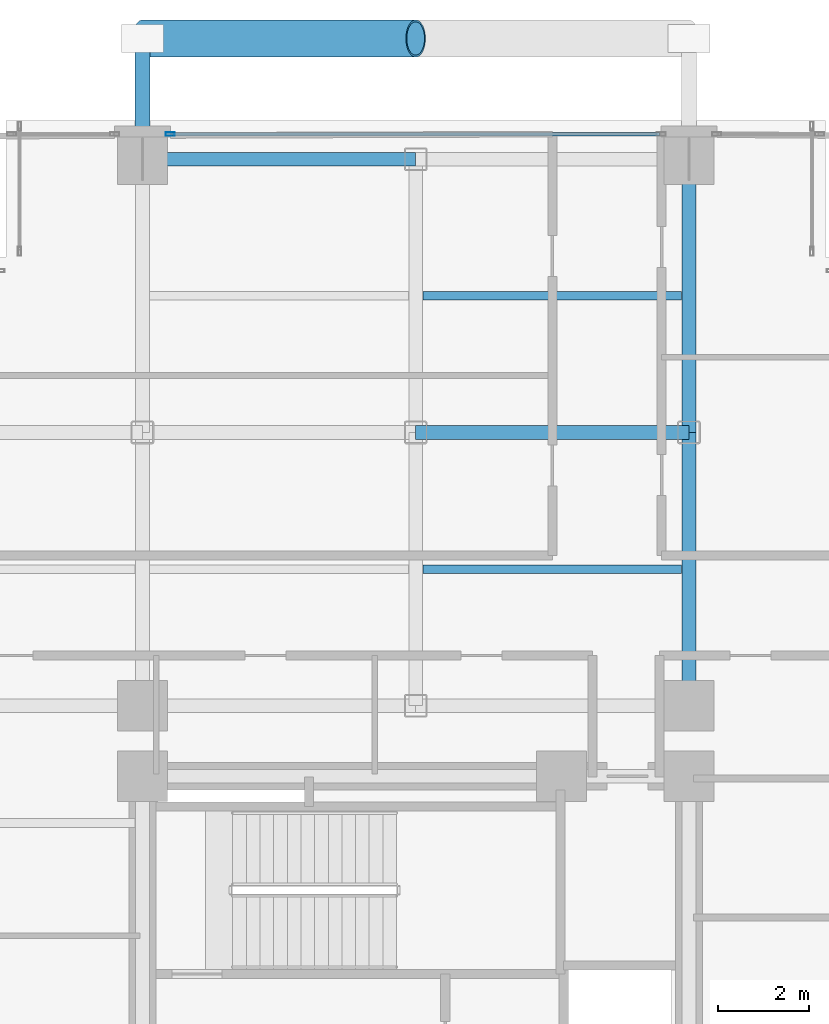
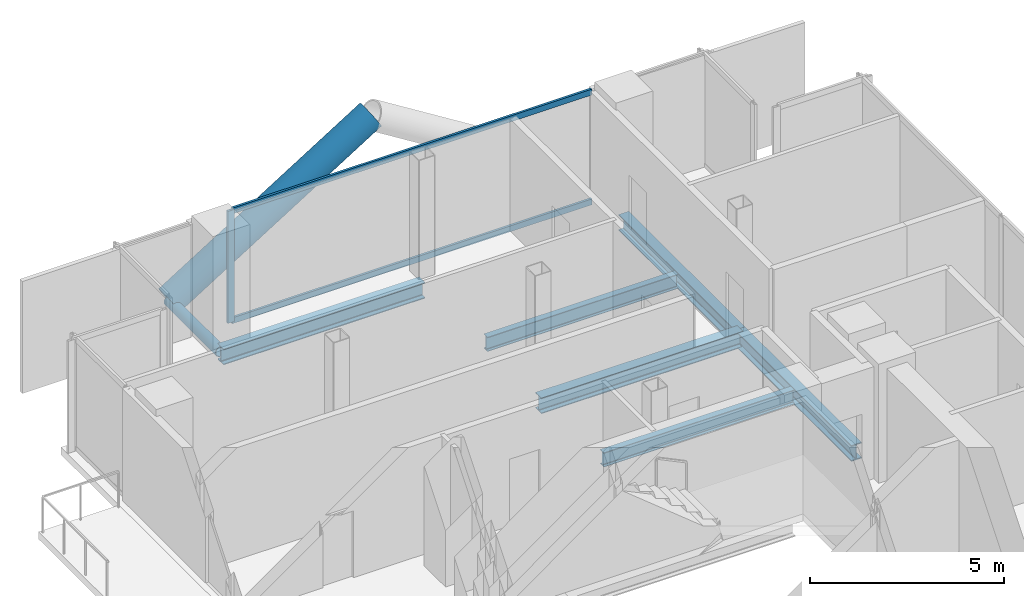
# One storey, part 16 of 28: 6 beams, 5 members, 1 element without a shape of its own.
"""IFC4 building model written with IfcOpenShell, lengths in metres."""

from ifc_helpers import new_model, si_unit, direction, frame, origin, origin_2d, place, context, subcontext, project, spatial, hollow_rectangle, hollow_circle, i_section, extrude, material, layer, layer_set, material_profile, profile_set, type_object, element, aggregate, save


model = new_model("IFC4")

# Units and contexts
model_context = context("Model", 3, precision=1e-05, world=origin(), true_north=direction((0.0, 1.0)))
body_context = subcontext(model_context, "Body", "Model", "MODEL_VIEW")
ifc_project = project(units=[si_unit("LENGTHUNIT", "METRE"), si_unit("AREAUNIT", "SQUARE_METRE"), si_unit("VOLUMEUNIT", "CUBIC_METRE"), si_unit("PLANEANGLEUNIT", "RADIAN"), si_unit("MASSUNIT", "GRAM", prefix="KILO"), si_unit("THERMODYNAMICTEMPERATUREUNIT", "KELVIN"), si_unit("POWERUNIT", "WATT")], contexts=[model_context])

# Site, building, storey
site_placement = place(None, origin())
site = spatial("IfcSite", under=ifc_project, at=site_placement, CompositionType="ELEMENT")
building_placement = place(site_placement, origin())
building = spatial("IfcBuilding", under=site, at=building_placement, Name="Svarakhadi Broadcast Tower", CompositionType="ELEMENT")
storey_placement = place(building_placement, frame((0.0, 0.0, 149.39990234375)))
storey = spatial("IfcBuildingStorey", under=building, at=storey_placement, Name="L36", CompositionType="ELEMENT", Elevation=149.39990234375)

# Beams
ifc_material_1 = material(Name="Steel S355J2 (IS 2062 E350C)", Category="steel")
ifc_material_profile_1 = material_profile(ifc_material_1, i_section(OverallWidth=0.18994140625, OverallDepth=0.449951171875, WebThickness=0.009521484375, FlangeThickness=0.0146484375, FilletRadius=0.02099609375, at=origin_2d()), Name="NPB 450x190x78")
ifc_profile_set_1 = profile_set([ifc_material_profile_1], Name="Steel S355J2 (IS 2062 E350C)")
beam_type_1 = type_object("IfcBeamType", Name="Beam_NPB450", PredefinedType="BEAM", material=ifc_profile_set_1)
for number, where, z_axis, x_axis, name in (
    (1, (12.159912109375, 32.14990234375, -0.449951171875), (1.0, 0.0, 0.0), (0.0, 1.0, 0.0), "L36 Secondary Composite Beam SB014"),
    (2, (12.159912109375, 38.14990234375, -0.449951171875), (1.0, 0.0, 0.0), (0.0, 1.0, 0.0), "L36 Secondary Composite Beam SB015"),
):
    element("IfcBeam", number, at=place(storey_placement, frame(where, z_axis=z_axis, x_axis=x_axis)), inside=storey, type_object=beam_type_1, Name=name, PredefinedType="BEAM", context=body_context, shape_type="SweptSolid", body=[
        extrude(i_section(OverallWidth=0.18994140625, OverallDepth=0.449951171875, WebThickness=0.009521484375, FlangeThickness=0.0146484375, FilletRadius=0.02099609375, at=origin_2d()), origin(), (0.0, 0.0, 1.0), 5.68017578125),
    ])

# Curtain wall, members
ifc_material_2 = material(Name="Anodised Bronze Aluminium AA 6063-T6", Category="aluminium")
ifc_layer = layer(ifc_material_2, 0.199951171875)
ifc_layer_set = layer_set([ifc_layer], Name="Anodised Bronze Aluminium AA 6063-T6")
curtain_wall_type = type_object("IfcCurtainWallType", Name="CW_Sys_03", PredefinedType="NOTDEFINED", material=ifc_layer_set)
curtain_wall_placement = place(storey_placement, origin())
curtain_wall = element("IfcCurtainWall", 3, at=curtain_wall_placement, inside=storey, type_object=curtain_wall_type, Name="L36 Unitised Facade Curtain Wall 06 Bay 2", PredefinedType="NOTDEFINED")
ifc_material_profile_2 = material_profile(ifc_material_2, hollow_rectangle(XDim=0.074951171875, YDim=0.199951171875, WallThickness=0.005615234375, at=origin_2d()), Name="ALU MULLION 200x75x6")
ifc_profile_set_2 = profile_set([ifc_material_profile_2], Name="Anodised Bronze Aluminium AA 6063-T6")
member_type_1 = type_object("IfcMemberType", Name="CW_Sys_03_Mul", PredefinedType="MULLION", material=ifc_profile_set_2)
member_1_placement = place(storey_placement, frame((6.607421875, 41.699951171875, 0.0), z_axis=(0.0, 0.0, 1.0), x_axis=(0.0, 1.0, 0.0)))
member_1 = element("IfcMember", 4, at=member_1_placement, type_object=member_type_1, Name="CW-03 mullion 1", PredefinedType="MULLION", context=body_context, shape_type="SweptSolid", body=[
    extrude(hollow_rectangle(XDim=0.074951171875, YDim=0.199951171875, WallThickness=0.005615234375, at=origin_2d()), origin(), (0.0, 0.0, 1.0), 3.525146484375),
])
ifc_material_profile_3 = material_profile(ifc_material_2, hollow_rectangle(XDim=0.070068359375, YDim=0.18505859375, WallThickness=0.0048828125, at=origin_2d()), Name="ALU TRANSOM 185x70x5")
ifc_profile_set_3 = profile_set([ifc_material_profile_3], Name="Anodised Bronze Aluminium AA 6063-T6")
member_type_2 = type_object("IfcMemberType", Name="CW_Sys_03_Trn", PredefinedType="USERDEFINED", material=ifc_profile_set_3)
member_2_placement = place(storey_placement, frame((6.64501953125, 41.699951171875, 0.03515625), z_axis=(1.0, 0.0, 0.0), x_axis=(0.0, 1.0, 0.0)))
member_2 = element("IfcMember", 5, at=member_2_placement, type_object=member_type_2, Name="CW-03 transom 1.1", ObjectType="TRANSOM", PredefinedType="USERDEFINED", context=body_context, shape_type="SweptSolid", body=[
    extrude(hollow_rectangle(XDim=0.070068359375, YDim=0.18505859375, WallThickness=0.0048828125, at=origin_2d()), origin(), (0.0, 0.0, 1.0), 10.7099609375),
])
member_3_placement = place(storey_placement, frame((6.64501953125, 41.699951171875, 3.489990234375), z_axis=(1.0, 0.0, 0.0), x_axis=(0.0, 1.0, 0.0)))
member_3 = element("IfcMember", 6, at=member_3_placement, type_object=member_type_2, Name="CW-03 transom 1.2", ObjectType="TRANSOM", PredefinedType="USERDEFINED", context=body_context, shape_type="SweptSolid", body=[
    extrude(hollow_rectangle(XDim=0.070068359375, YDim=0.18505859375, WallThickness=0.0048828125, at=origin_2d()), origin(), (0.0, 0.0, 1.0), 10.7099609375),
])
aggregate(curtain_wall, [member_1, member_2, member_3])

# Members
ifc_material_3 = material(Name="Steel S460ML (IS 2062 E450BR)", Category="steel")
ifc_material_profile_4 = material_profile(ifc_material_3, hollow_circle(Radius=0.406494140625, WallThickness=0.0400390625, at=origin_2d()), Name="CHS 813x40")
ifc_profile_set_4 = profile_set([ifc_material_profile_4], Name="Steel S460ML (IS 2062 E450BR)")
member_type_3 = type_object("IfcMemberType", Name="Exo_Brace_CHS813", PredefinedType="BRACE", material=ifc_profile_set_4)
member_4_placement = place(storey_placement, frame((6.0, 43.800048828125, -0.386962890625), z_axis=(0.847998304005, 0.0, 0.529998940003), x_axis=(0.0, 1.0, 0.0)))
element("IfcMember", 7, at=member_4_placement, inside=storey, type_object=member_type_3, Name="L36 Exposed Bronze Exoskeleton Diagonal N10", PredefinedType="BRACE", context=body_context, shape_type="SweptSolid", body=[
    extrude(hollow_circle(Radius=0.406494140625, WallThickness=0.0400390625, at=origin_2d()), origin(), (0.0, 0.0, 1.0), 7.075439453125),
])
ifc_material_profile_5 = material_profile(ifc_material_3, hollow_circle(Radius=0.161865234375, WallThickness=0.01611328125, at=origin_2d()), Name="CHS 323.9x16")
ifc_profile_set_5 = profile_set([ifc_material_profile_5], Name="Steel S460ML (IS 2062 E450BR)")
member_type_4 = type_object("IfcMemberType", Name="Exo_Radial_Strut_Z2", PredefinedType="STRUT", material=ifc_profile_set_5)
member_5_placement = place(storey_placement, frame((6.0, 43.800048828125, -0.386962890625), z_axis=(0.0, -1.0, 0.0), x_axis=(1.0, 0.0, 0.0)))
element("IfcMember", 8, at=member_5_placement, inside=storey, type_object=member_type_4, Name="L36 Exoskeleton Radial Tie Strut N10", PredefinedType="STRUT", context=body_context, shape_type="SweptSolid", body=[
    extrude(hollow_circle(Radius=0.161865234375, WallThickness=0.01611328125, at=origin_2d()), origin(), (0.0, 0.0, 1.0), 2.650146484375),
])

# Beams
ifc_material_profile_6 = material_profile(ifc_material_1, i_section(OverallWidth=0.300048828125, OverallDepth=0.5, WebThickness=0.014404296875, FlangeThickness=0.028076171875, FilletRadius=0.027099609375, at=origin_2d()), Name="WPB 500x300x187")
ifc_profile_set_6 = profile_set([ifc_material_profile_6], Name="Steel S355J2 (IS 2062 E350C)")
beam_type_2 = type_object("IfcBeamType", Name="Girder_WPB500", PredefinedType="USERDEFINED", material=ifc_profile_set_6)
for number, where, z_axis, x_axis, name in (
    (9, (12.0, 35.14990234375, -0.474853515625), (1.0, 0.0, 0.0), (0.0, 1.0, 0.0), "L36 Primary E-W Girder G037"),
    (10, (6.0, 41.14990234375, -0.474853515625), (1.0, 0.0, 0.0), (0.0, 1.0, 0.0), "L36 Primary E-W Girder G038"),
    (11, (18.0, 29.14990234375, -0.474853515625), (0.0, 1.0, 0.0), (-1.0, 0.0, 0.0), "L36 Primary N-S Girder G060"),
    (12, (18.0, 35.14990234375, -0.474853515625), (0.0, 1.0, 0.0), (-1.0, 0.0, 0.0), "L36 Primary N-S Girder G061"),
):
    element("IfcBeam", number, at=place(storey_placement, frame(where, z_axis=z_axis, x_axis=x_axis)), inside=storey, type_object=beam_type_2, Name=name, ObjectType="GIRDER", PredefinedType="USERDEFINED", context=body_context, shape_type="SweptSolid", body=[
        extrude(i_section(OverallWidth=0.300048828125, OverallDepth=0.5, WebThickness=0.014404296875, FlangeThickness=0.028076171875, FilletRadius=0.027099609375, at=origin_2d()), origin(), (0.0, 0.0, 1.0), 6.0),
    ])

save(model, "model.ifc")
